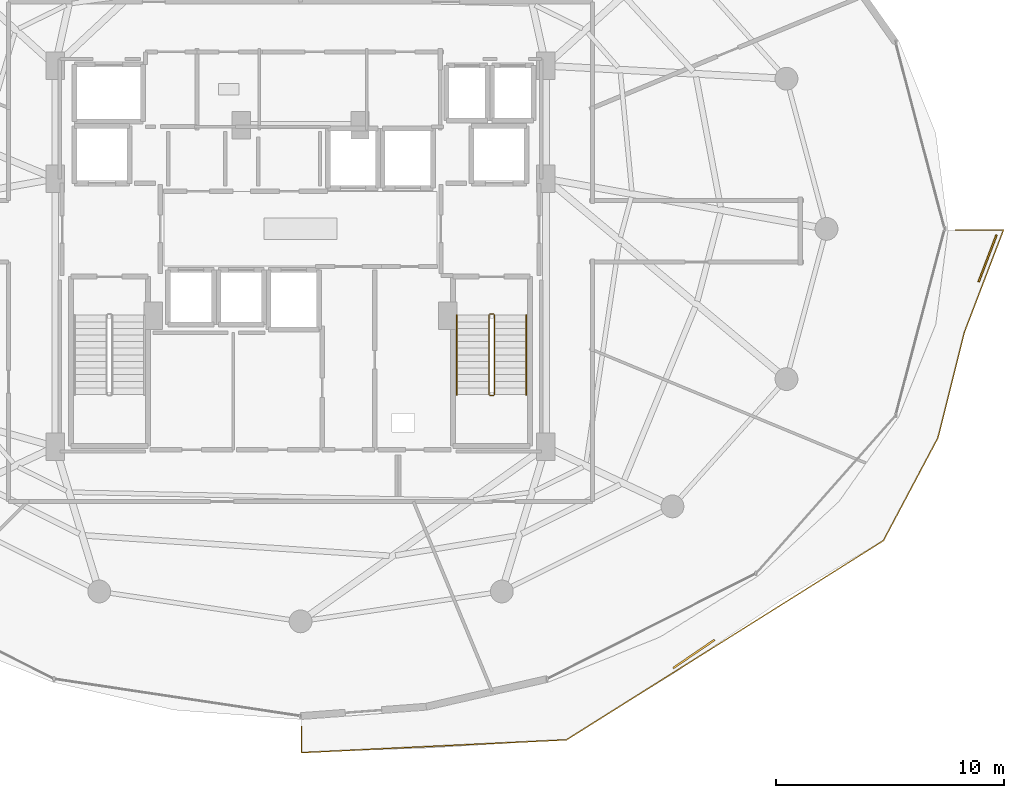
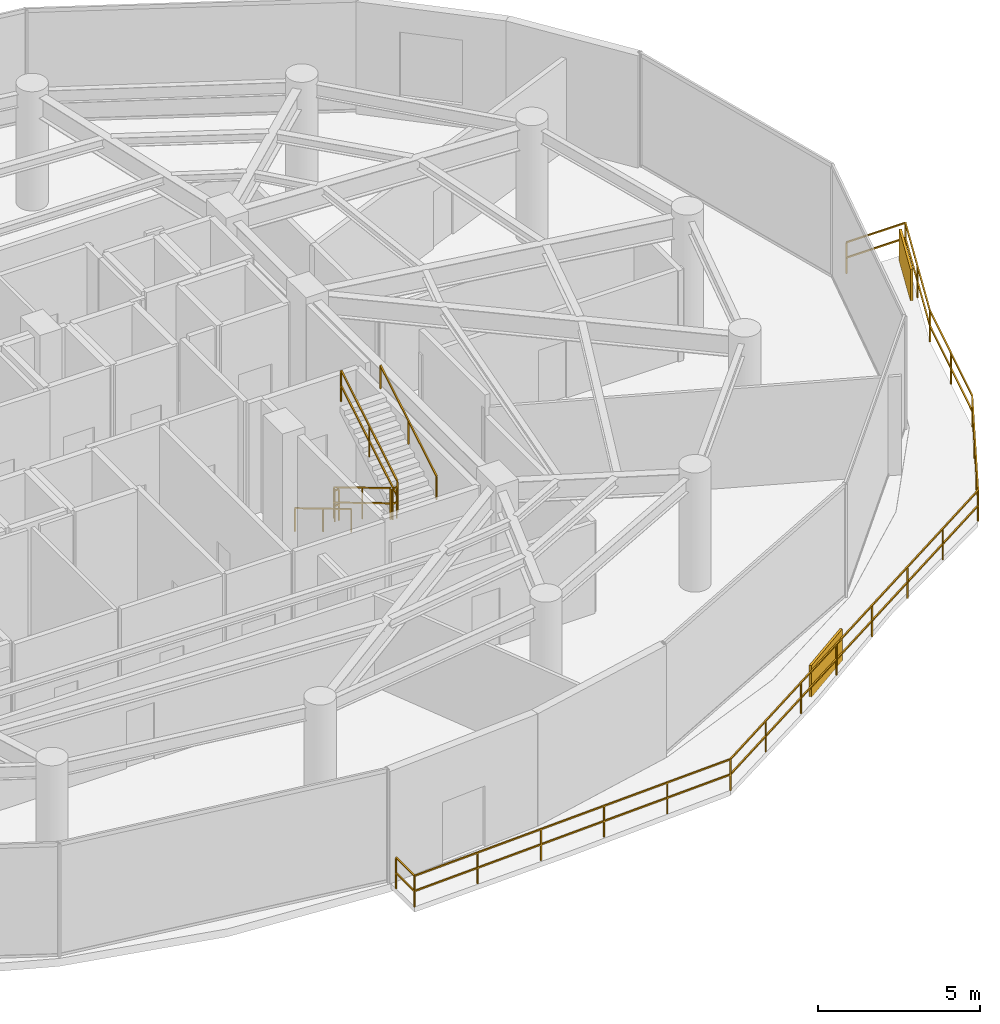
# One storey, part 29 of 31: 8 railings, 2 shading devices.
"""IFC4 building model written with IfcOpenShell, lengths in metres."""

from ifc_helpers import new_model, si_unit, direction, frame, origin, origin_2d, place, context, subcontext, project, spatial, rectangle, extrude, material, type_object, element, save


model = new_model("IFC4")

# Units and contexts
model_context = context("Model", 3, precision=1e-05, world=origin(), true_north=direction((0.0, 1.0)))
body_context = subcontext(model_context, "Body", "Model", "MODEL_VIEW")
ifc_project = project(units=[si_unit("LENGTHUNIT", "METRE"), si_unit("AREAUNIT", "SQUARE_METRE"), si_unit("VOLUMEUNIT", "CUBIC_METRE"), si_unit("PLANEANGLEUNIT", "RADIAN"), si_unit("MASSUNIT", "GRAM", prefix="KILO")], contexts=[model_context])

# Site, building, storey
site_placement = place(None, origin())
site = spatial("IfcSite", under=ifc_project, at=site_placement, CompositionType="ELEMENT")
building_placement = place(site_placement, origin())
building = spatial("IfcBuilding", under=site, at=building_placement, Name="Vorneva Point Tower", CompositionType="ELEMENT")
storey_placement = place(building_placement, frame((0.0, 0.0, 174.60009765625)))
storey = spatial("IfcBuildingStorey", under=building, at=storey_placement, Name="L47", CompositionType="ELEMENT", Elevation=174.60009765625)

# Railings
ifc_material_1 = material(Name="Pale anodised aluminium", Category="aluminium")
railing_type_1 = type_object("IfcRailingType", Name="RL-BAL-1200", PredefinedType="BALUSTRADE", material=ifc_material_1)
railing_1_placement = place(storey_placement, frame((67.09521484375, 21.474609375, 0.0)))
element("IfcRailing", 1, at=railing_1_placement, inside=storey, type_object=railing_type_1, Name="L47 Wave Balcony Balustrade SE.1", PredefinedType="BALUSTRADE", context=body_context, shape_type="SweptSolid", body=[
    extrude(rectangle(XDim=0.048095703125, YDim=0.048095703125, at=origin_2d()), frame((0.0, 0.0, 1.17578125), z_axis=(0.357052473126, 0.934084327796, 0.0), x_axis=(-0.934084327796, 0.357052473126, 0.0)), (0.0, 0.0, 1.0), 4.791259765625),
    extrude(rectangle(XDim=0.048095703125, YDim=0.048095703125, at=origin_2d()), frame((0.0, 0.0, 0.60009765625), z_axis=(0.357052473126, 0.934084327796, 0.0), x_axis=(-0.934084327796, 0.357052473126, 0.0)), (0.0, 0.0, 1.0), 4.791259765625),
    extrude(rectangle(XDim=0.048095703125, YDim=0.048095703125, at=origin_2d()), frame((1.710693359375, 4.475341796875, 1.17578125), z_axis=(-1.0, 0.0, 0.0), x_axis=(0.0, -1.0, 0.0)), (0.0, 0.0, 1.0), 2.109619140625),
    extrude(rectangle(XDim=0.048095703125, YDim=0.048095703125, at=origin_2d()), frame((1.710693359375, 4.475341796875, 0.60009765625), z_axis=(-1.0, 0.0, 0.0), x_axis=(0.0, -1.0, 0.0)), (0.0, 0.0, 1.0), 2.109619140625),
    extrude(rectangle(XDim=0.0419921875, YDim=0.0419921875, at=origin_2d()), origin(), (0.0, 0.0, 1.0), 1.15185546875),
    extrude(rectangle(XDim=0.0419921875, YDim=0.0419921875, at=origin_2d()), frame((0.85546875, 2.23779296875, 0.0)), (0.0, 0.0, 1.0), 1.15185546875),
    extrude(rectangle(XDim=0.0419921875, YDim=0.0419921875, at=origin_2d()), frame((1.710693359375, 4.475341796875, 0.0)), (0.0, 0.0, 1.0), 1.15185546875),
    extrude(rectangle(XDim=0.0419921875, YDim=0.0419921875, at=origin_2d()), frame((-0.39892578125, 4.475341796875, 0.0)), (0.0, 0.0, 1.0), 1.15185546875),
])
railing_2_placement = place(storey_placement, frame((38.050048828125, 4.182861328125, 0.0)))
element("IfcRailing", 2, at=railing_2_placement, inside=storey, type_object=railing_type_1, Name="L47 Wave Balcony Balustrade SE.2", PredefinedType="BALUSTRADE", context=body_context, shape_type="SweptSolid", body=[
    extrude(rectangle(XDim=0.048095703125, YDim=0.048095703125, at=origin_2d()), frame((0.0, 0.0, 1.17578125), z_axis=(0.0, -1.0, 0.0), x_axis=(1.0, 0.0, 0.0)), (0.0, 0.0, 1.0), 1.135986328125),
    extrude(rectangle(XDim=0.048095703125, YDim=0.048095703125, at=origin_2d()), frame((0.0, 0.0, 0.60009765625), z_axis=(0.0, -1.0, 0.0), x_axis=(1.0, 0.0, 0.0)), (0.0, 0.0, 1.0), 1.135986328125),
    extrude(rectangle(XDim=0.048095703125, YDim=0.048095703125, at=origin_2d()), frame((0.0, -1.135986328125, 1.17578125), z_axis=(0.998832246772, 0.048312967291, 0.0), x_axis=(-0.048312967291, 0.998832246772, 0.0)), (0.0, 0.0, 1.0), 11.61767578125),
    extrude(rectangle(XDim=0.048095703125, YDim=0.048095703125, at=origin_2d()), frame((0.0, -1.135986328125, 0.60009765625), z_axis=(0.998832246772, 0.048312967291, 0.0), x_axis=(-0.048312967291, 0.998832246772, 0.0)), (0.0, 0.0, 1.0), 11.61767578125),
    extrude(rectangle(XDim=0.048095703125, YDim=0.048095703125, at=origin_2d()), frame((11.60400390625, -0.57470703125, 1.17578125), z_axis=(0.846684820607, 0.532094742084, 0.0), x_axis=(-0.532094742084, 0.846684820607, 0.0)), (0.0, 0.0, 1.0), 16.406005859375),
    extrude(rectangle(XDim=0.048095703125, YDim=0.048095703125, at=origin_2d()), frame((11.60400390625, -0.57470703125, 0.60009765625), z_axis=(0.846684820607, 0.532094742084, 0.0), x_axis=(-0.532094742084, 0.846684820607, 0.0)), (0.0, 0.0, 1.0), 16.406005859375),
    extrude(rectangle(XDim=0.048095703125, YDim=0.048095703125, at=origin_2d()), frame((25.49462890625, 8.15478515625, 1.17578125), z_axis=(0.468504330628, 0.883461200157, 0.0), x_axis=(-0.883461200157, 0.468504330628, 0.0)), (0.0, 0.0, 1.0), 5.0927734375),
    extrude(rectangle(XDim=0.048095703125, YDim=0.048095703125, at=origin_2d()), frame((25.49462890625, 8.15478515625, 0.60009765625), z_axis=(0.468504330628, 0.883461200157, 0.0), x_axis=(-0.883461200157, 0.468504330628, 0.0)), (0.0, 0.0, 1.0), 5.0927734375),
    extrude(rectangle(XDim=0.048095703125, YDim=0.048095703125, at=origin_2d()), frame((27.880615234375, 12.654052734375, 1.17578125), z_axis=(0.243544631773, 0.969889690808, 0.0), x_axis=(-0.969889690808, 0.243544631773, 0.0)), (0.0, 0.0, 1.0), 4.78173828125),
    extrude(rectangle(XDim=0.048095703125, YDim=0.048095703125, at=origin_2d()), frame((27.880615234375, 12.654052734375, 0.60009765625), z_axis=(0.243544631773, 0.969889690808, 0.0), x_axis=(-0.969889690808, 0.243544631773, 0.0)), (0.0, 0.0, 1.0), 4.78173828125),
    extrude(rectangle(XDim=0.0419921875, YDim=0.0419921875, at=origin_2d()), origin(), (0.0, 0.0, 1.0), 1.15185546875),
    extrude(rectangle(XDim=0.0419921875, YDim=0.0419921875, at=origin_2d()), frame((0.0, -1.135986328125, 0.0)), (0.0, 0.0, 1.0), 1.15185546875),
    extrude(rectangle(XDim=0.0419921875, YDim=0.0419921875, at=origin_2d()), frame((2.32080078125, -1.023681640625, 0.0)), (0.0, 0.0, 1.0), 1.15185546875),
    extrude(rectangle(XDim=0.0419921875, YDim=0.0419921875, at=origin_2d()), frame((4.6416015625, -0.911376953125, 0.0)), (0.0, 0.0, 1.0), 1.15185546875),
    extrude(rectangle(XDim=0.0419921875, YDim=0.0419921875, at=origin_2d()), frame((6.96240234375, -0.79931640625, 0.0)), (0.0, 0.0, 1.0), 1.15185546875),
    extrude(rectangle(XDim=0.0419921875, YDim=0.0419921875, at=origin_2d()), frame((9.283203125, -0.68701171875, 0.0)), (0.0, 0.0, 1.0), 1.15185546875),
    extrude(rectangle(XDim=0.0419921875, YDim=0.0419921875, at=origin_2d()), frame((11.60400390625, -0.57470703125, 0.0)), (0.0, 0.0, 1.0), 1.15185546875),
    extrude(rectangle(XDim=0.0419921875, YDim=0.0419921875, at=origin_2d()), frame((13.58837890625, 0.67236328125, 0.0)), (0.0, 0.0, 1.0), 1.15185546875),
    extrude(rectangle(XDim=0.0419921875, YDim=0.0419921875, at=origin_2d()), frame((15.57275390625, 1.91943359375, 0.0)), (0.0, 0.0, 1.0), 1.15185546875),
    extrude(rectangle(XDim=0.0419921875, YDim=0.0419921875, at=origin_2d()), frame((17.55712890625, 3.16650390625, 0.0)), (0.0, 0.0, 1.0), 1.15185546875),
    extrude(rectangle(XDim=0.0419921875, YDim=0.0419921875, at=origin_2d()), frame((19.54150390625, 4.41357421875, 0.0)), (0.0, 0.0, 1.0), 1.15185546875),
    extrude(rectangle(XDim=0.0419921875, YDim=0.0419921875, at=origin_2d()), frame((21.52587890625, 5.66064453125, 0.0)), (0.0, 0.0, 1.0), 1.15185546875),
    extrude(rectangle(XDim=0.0419921875, YDim=0.0419921875, at=origin_2d()), frame((23.51025390625, 6.90771484375, 0.0)), (0.0, 0.0, 1.0), 1.15185546875),
    extrude(rectangle(XDim=0.0419921875, YDim=0.0419921875, at=origin_2d()), frame((25.49462890625, 8.15478515625, 0.0)), (0.0, 0.0, 1.0), 1.15185546875),
    extrude(rectangle(XDim=0.0419921875, YDim=0.0419921875, at=origin_2d()), frame((26.2900390625, 9.654541015625, 0.0)), (0.0, 0.0, 1.0), 1.15185546875),
    extrude(rectangle(XDim=0.0419921875, YDim=0.0419921875, at=origin_2d()), frame((27.085205078125, 11.154296875, 0.0)), (0.0, 0.0, 1.0), 1.15185546875),
    extrude(rectangle(XDim=0.0419921875, YDim=0.0419921875, at=origin_2d()), frame((27.880615234375, 12.654052734375, 0.0)), (0.0, 0.0, 1.0), 1.15185546875),
    extrude(rectangle(XDim=0.0419921875, YDim=0.0419921875, at=origin_2d()), frame((28.462890625, 14.972900390625, 0.0)), (0.0, 0.0, 1.0), 1.15185546875),
    extrude(rectangle(XDim=0.0419921875, YDim=0.0419921875, at=origin_2d()), frame((29.045166015625, 17.291748046875, 0.0)), (0.0, 0.0, 1.0), 1.15185546875),
])
ifc_material_2 = material(Name="Brushed stainless steel S304", Category="steel")
railing_type_2 = type_object("IfcRailingType", Name="RL-HND-920", PredefinedType="HANDRAIL", material=ifc_material_2)
railing_3_placement = place(storey_placement, frame((44.85009765625, 22.219970703125, 0.173095703125)))
element("IfcRailing", 3, at=railing_3_placement, inside=storey, type_object=railing_type_2, Name="L47 ST2 stair handrail 1", PredefinedType="HANDRAIL", context=body_context, shape_type="SweptSolid", body=[
    extrude(rectangle(XDim=0.048095703125, YDim=0.048095703125, at=origin_2d()), frame((0.0, 0.0, 0.8759765625), z_axis=(0.0, -0.858697190188, 0.512483302717), x_axis=(1.0, 0.0, 0.0)), (0.0, 0.0, 1.0), 4.052734375),
    extrude(rectangle(XDim=0.0419921875, YDim=0.0419921875, at=origin_2d()), origin(), (0.0, 0.0, 1.0), 0.851806640625),
    extrude(rectangle(XDim=0.0419921875, YDim=0.0419921875, at=origin_2d()), frame((0.0, -1.739990234375, 1.03857421875)), (0.0, 0.0, 1.0), 0.851806640625),
    extrude(rectangle(XDim=0.0419921875, YDim=0.0419921875, at=origin_2d()), frame((0.0, -3.47998046875, 2.076904296875)), (0.0, 0.0, 1.0), 0.851806640625),
])
railing_4_placement = place(storey_placement, frame((47.89990234375, 18.739990234375, 2.423095703125)))
element("IfcRailing", 4, at=railing_4_placement, inside=storey, type_object=railing_type_2, Name="L47 ST2 stair handrail 2", PredefinedType="HANDRAIL", context=body_context, shape_type="SweptSolid", body=[
    extrude(rectangle(XDim=0.048095703125, YDim=0.048095703125, at=origin_2d()), frame((0.0, 0.0, 0.8759765625), z_axis=(0.0, 0.858697190188, 0.512483302717), x_axis=(-1.0, 0.0, 0.0)), (0.0, 0.0, 1.0), 4.052734375),
    extrude(rectangle(XDim=0.0419921875, YDim=0.0419921875, at=origin_2d()), origin(), (0.0, 0.0, 1.0), 0.851806640625),
    extrude(rectangle(XDim=0.0419921875, YDim=0.0419921875, at=origin_2d()), frame((0.0, 1.739990234375, 1.03857421875)), (0.0, 0.0, 1.0), 0.851806640625),
    extrude(rectangle(XDim=0.0419921875, YDim=0.0419921875, at=origin_2d()), frame((0.0, 3.47998046875, 2.076904296875)), (0.0, 0.0, 1.0), 0.851806640625),
])
railing_type_3 = type_object("IfcRailingType", Name="RL-STG-1100", PredefinedType="GUARDRAIL", material=ifc_material_2)
railing_5_placement = place(storey_placement, frame((46.25, 22.219970703125, 0.173095703125)))
element("IfcRailing", 5, at=railing_5_placement, inside=storey, type_object=railing_type_3, Name="L47 ST2 stair guard 1", PredefinedType="GUARDRAIL", context=body_context, shape_type="SweptSolid", body=[
    extrude(rectangle(XDim=0.048095703125, YDim=0.048095703125, at=origin_2d()), frame((0.0, 0.0, 1.17578125), z_axis=(0.0, -0.858697190188, 0.512483302717), x_axis=(1.0, 0.0, 0.0)), (0.0, 0.0, 1.0), 4.052734375),
    extrude(rectangle(XDim=0.048095703125, YDim=0.048095703125, at=origin_2d()), frame((0.0, 0.0, 0.60009765625), z_axis=(0.0, -0.858697190188, 0.512483302717), x_axis=(1.0, 0.0, 0.0)), (0.0, 0.0, 1.0), 4.052734375),
    extrude(rectangle(XDim=0.0419921875, YDim=0.0419921875, at=origin_2d()), origin(), (0.0, 0.0, 1.0), 1.15185546875),
    extrude(rectangle(XDim=0.0419921875, YDim=0.0419921875, at=origin_2d()), frame((0.0, -1.739990234375, 1.03857421875)), (0.0, 0.0, 1.0), 1.15185546875),
    extrude(rectangle(XDim=0.0419921875, YDim=0.0419921875, at=origin_2d()), frame((0.0, -3.47998046875, 2.076904296875)), (0.0, 0.0, 1.0), 1.15185546875),
])
railing_6_placement = place(storey_placement, frame((46.300048828125, 18.68994140625, 2.25)))
element("IfcRailing", 6, at=railing_6_placement, inside=storey, type_object=railing_type_3, Name="L47 ST2 stair guard 2", PredefinedType="GUARDRAIL", context=body_context, shape_type="SweptSolid", body=[
    extrude(rectangle(XDim=0.048095703125, YDim=0.048095703125, at=origin_2d()), frame((0.0, 0.0, 1.17578125), z_axis=(1.0, 0.0, 0.0), x_axis=(0.0, 1.0, 0.0)), (0.0, 0.0, 1.0), 0.14990234375),
    extrude(rectangle(XDim=0.048095703125, YDim=0.048095703125, at=origin_2d()), frame((0.0, 0.0, 0.60009765625), z_axis=(1.0, 0.0, 0.0), x_axis=(0.0, 1.0, 0.0)), (0.0, 0.0, 1.0), 0.14990234375),
    extrude(rectangle(XDim=0.0419921875, YDim=0.0419921875, at=origin_2d()), origin(), (0.0, 0.0, 1.0), 1.15185546875),
    extrude(rectangle(XDim=0.0419921875, YDim=0.0419921875, at=origin_2d()), frame((0.14990234375, 0.0, 0.0)), (0.0, 0.0, 1.0), 1.15185546875),
])
railing_7_placement = place(storey_placement, frame((46.5, 18.739990234375, 2.423095703125)))
element("IfcRailing", 7, at=railing_7_placement, inside=storey, type_object=railing_type_3, Name="L47 ST2 stair guard 3", PredefinedType="GUARDRAIL", context=body_context, shape_type="SweptSolid", body=[
    extrude(rectangle(XDim=0.048095703125, YDim=0.048095703125, at=origin_2d()), frame((0.0, 0.0, 1.17578125), z_axis=(0.0, 0.858697190188, 0.512483302717), x_axis=(-1.0, 0.0, 0.0)), (0.0, 0.0, 1.0), 4.052734375),
    extrude(rectangle(XDim=0.048095703125, YDim=0.048095703125, at=origin_2d()), frame((0.0, 0.0, 0.60009765625), z_axis=(0.0, 0.858697190188, 0.512483302717), x_axis=(-1.0, 0.0, 0.0)), (0.0, 0.0, 1.0), 4.052734375),
    extrude(rectangle(XDim=0.0419921875, YDim=0.0419921875, at=origin_2d()), origin(), (0.0, 0.0, 1.0), 1.15185546875),
    extrude(rectangle(XDim=0.0419921875, YDim=0.0419921875, at=origin_2d()), frame((0.0, 1.739990234375, 1.03857421875)), (0.0, 0.0, 1.0), 1.15185546875),
    extrude(rectangle(XDim=0.0419921875, YDim=0.0419921875, at=origin_2d()), frame((0.0, 3.47998046875, 2.076904296875)), (0.0, 0.0, 1.0), 1.15185546875),
])
railing_8_placement = place(storey_placement, frame((46.300048828125, 22.27001953125, 0.0)))
element("IfcRailing", 8, at=railing_8_placement, inside=storey, type_object=railing_type_3, Name="L47 ST2 stair guard 4", PredefinedType="GUARDRAIL", context=body_context, shape_type="SweptSolid", body=[
    extrude(rectangle(XDim=0.048095703125, YDim=0.048095703125, at=origin_2d()), frame((0.0, 0.0, 1.17578125), z_axis=(1.0, 0.0, 0.0), x_axis=(0.0, 1.0, 0.0)), (0.0, 0.0, 1.0), 0.14990234375),
    extrude(rectangle(XDim=0.048095703125, YDim=0.048095703125, at=origin_2d()), frame((0.0, 0.0, 0.60009765625), z_axis=(1.0, 0.0, 0.0), x_axis=(0.0, 1.0, 0.0)), (0.0, 0.0, 1.0), 0.14990234375),
    extrude(rectangle(XDim=0.0419921875, YDim=0.0419921875, at=origin_2d()), origin(), (0.0, 0.0, 1.0), 1.15185546875),
    extrude(rectangle(XDim=0.0419921875, YDim=0.0419921875, at=origin_2d()), frame((0.14990234375, 0.0, 0.0)), (0.0, 0.0, 1.0), 1.15185546875),
])

# Shading devices
shading_device_type = type_object("IfcShadingDeviceType", Name="SHD-JAL-1200", PredefinedType="JALOUSIE", material=ifc_material_1)
for number, where, z_axis, x_axis, name in (
    (9, (68.107421875, 24.70703125, -0.02001953125), (0.0, 0.0, 1.0), (0.357047773635, 0.934086124157, 0.0), "L47 Balcony Vertical-Greenery Planter Screen SE.1"),
    (10, (55.2333984375, 7.3681640625, -0.02001953125), (0.0, 0.0, 1.0), (0.826098294496, 0.563526048938, 0.0), "L47 Balcony Vertical-Greenery Planter Screen SE.2"),
):
    element("IfcShadingDevice", number, at=place(storey_placement, frame(where, z_axis=z_axis, x_axis=x_axis)), inside=storey, type_object=shading_device_type, Name=name, PredefinedType="JALOUSIE", context=body_context, shape_type="SweptSolid", body=[
        extrude(rectangle(XDim=2.199951171875, YDim=0.080078125, at=origin_2d()), origin(), (0.0, 0.0, 1.0), 1.199951171875),
    ])

save(model, "model.ifc")
